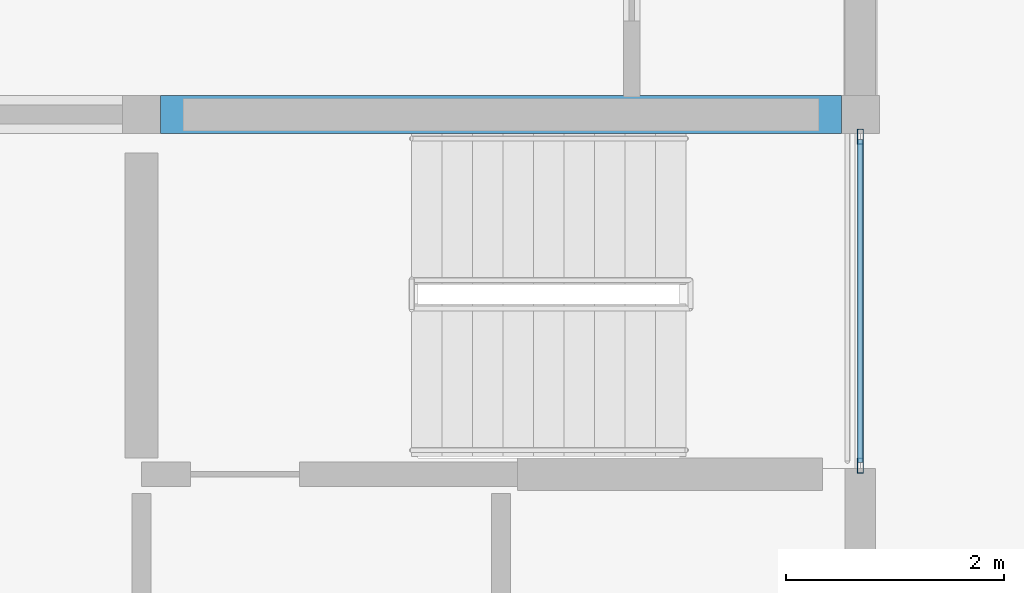
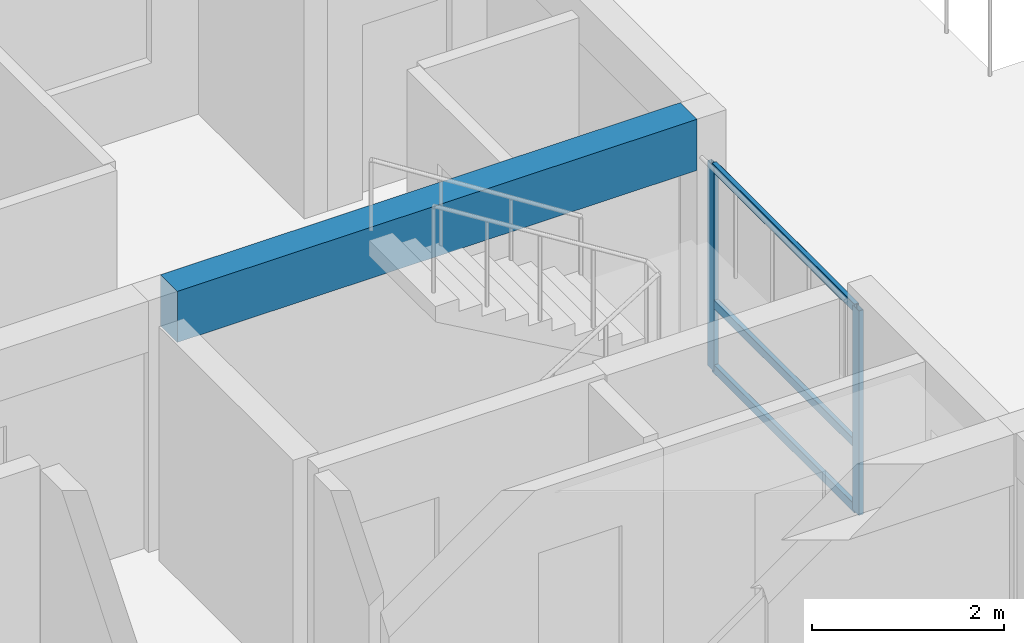
# One storey, part 8 of 46: 5 members, 1 beam, 1 element without a shape of its own.
"""IFC4 building model written with IfcOpenShell, lengths in metres."""

from ifc_helpers import new_model, si_unit, direction, frame, origin, origin_2d, place, context, subcontext, project, spatial, rectangle, hollow_rectangle, extrude, material, material_profile, profile_set, type_object, element, aggregate, save


model = new_model("IFC4")

# Units and contexts
model_context = context("Model", 3, precision=1e-05, world=origin(), true_north=direction((0.0, 1.0)))
body_context = subcontext(model_context, "Body", "Model", "MODEL_VIEW")
ifc_project = project(units=[si_unit("LENGTHUNIT", "METRE"), si_unit("AREAUNIT", "SQUARE_METRE"), si_unit("VOLUMEUNIT", "CUBIC_METRE"), si_unit("PLANEANGLEUNIT", "RADIAN"), si_unit("MASSUNIT", "GRAM", prefix="KILO")], contexts=[model_context])

# Site, building, storey
site_placement = place(None, origin())
site = spatial("IfcSite", under=ifc_project, at=site_placement, CompositionType="ELEMENT")
building_placement = place(site_placement, origin())
building = spatial("IfcBuilding", under=site, at=building_placement, Name="Kernevlak Ridge Housing Community", CompositionType="ELEMENT")
storey_placement = place(building_placement, frame((0.0, 0.0, 27.60009765625)))
storey = spatial("IfcBuildingStorey", under=building, at=storey_placement, Name="L08", CompositionType="ELEMENT", Elevation=27.60009765625)

# Beam
ifc_material_1 = material(Name="Concrete C35/45", Category="concrete")
ifc_material_profile_1 = material_profile(ifc_material_1, rectangle(XDim=0.35009765625, YDim=0.64990234375, at=origin_2d()), Name="RC 350x650")
ifc_profile_set_1 = profile_set([ifc_material_profile_1], Name="Concrete C35/45")
beam_type = type_object("IfcBeamType", Name="B-02", PredefinedType="BEAM", material=ifc_profile_set_1)
beam_placement = place(storey_placement, frame((28.97509765625, 28.800048828125, 2.875), z_axis=(1.0, 0.0, 0.0), x_axis=(0.0, 1.0, 0.0)))
element("IfcBeam", 1, at=beam_placement, inside=storey, type_object=beam_type, Name="Beam B-02 L08 1506", PredefinedType="BEAM", context=body_context, shape_type="SweptSolid", body=[
    extrude(rectangle(XDim=0.35009765625, YDim=0.64990234375, at=origin_2d()), origin(), (0.0, 0.0, 1.0), 6.25),
])

# Curtain wall, members
ifc_material_2 = material(Name="Aluminium EN AW-6060 anodised and laminated glass", Category="aluminium")
curtain_wall_type = type_object("IfcCurtainWallType", Name="CW-01", PredefinedType="NOTDEFINED", material=ifc_material_2)
curtain_wall_placement = place(storey_placement, origin())
curtain_wall = element("IfcCurtainWall", 2, at=curtain_wall_placement, inside=storey, type_object=curtain_wall_type, Name="Curtain wall CW-01 CW-L08-165", PredefinedType="NOTDEFINED")
ifc_material_3 = material(Name="Aluminium EN AW-6060 anodised", Category="aluminium")
ifc_material_profile_2 = material_profile(ifc_material_3, hollow_rectangle(XDim=0.054931640625, YDim=0.139892578125, WallThickness=0.00390625, InnerFilletRadius=0.001953125, OuterFilletRadius=0.00390625, at=origin_2d()), Name="ALU 55x140x4")
ifc_profile_set_2 = profile_set([ifc_material_profile_2], Name="Aluminium EN AW-6060 anodised")
member_type_1 = type_object("IfcMemberType", Name="MU-01", PredefinedType="MULLION", material=ifc_profile_set_2)
member_1_placement = place(storey_placement, frame((35.39990234375, 25.577392578125, 0.0), z_axis=(0.0, 0.0, 1.0), x_axis=(-1.0, 0.0, 0.0)))
member_1 = element("IfcMember", 3, at=member_1_placement, type_object=member_type_1, Name="CW-01 mullion 1", PredefinedType="MULLION", context=body_context, shape_type="SweptSolid", body=[
    extrude(hollow_rectangle(XDim=0.054931640625, YDim=0.139892578125, WallThickness=0.00390625, InnerFilletRadius=0.001953125, OuterFilletRadius=0.00390625, at=origin_2d()), origin(), (0.0, 0.0, 1.0), 2.599853515625),
])
member_2_placement = place(storey_placement, frame((35.39990234375, 28.597412109375, 0.0), z_axis=(0.0, 0.0, 1.0), x_axis=(-1.0, 0.0, 0.0)))
member_2 = element("IfcMember", 4, at=member_2_placement, type_object=member_type_1, Name="CW-01 mullion 2", PredefinedType="MULLION", context=body_context, shape_type="SweptSolid", body=[
    extrude(hollow_rectangle(XDim=0.054931640625, YDim=0.139892578125, WallThickness=0.00390625, InnerFilletRadius=0.001953125, OuterFilletRadius=0.00390625, at=origin_2d()), origin(), (0.0, 0.0, 1.0), 2.599853515625),
])
ifc_material_profile_3 = material_profile(ifc_material_3, hollow_rectangle(XDim=0.054931640625, YDim=0.110107421875, WallThickness=0.00390625, InnerFilletRadius=0.001953125, OuterFilletRadius=0.00390625, at=origin_2d()), Name="ALU 55x110x4")
ifc_profile_set_3 = profile_set([ifc_material_profile_3], Name="Aluminium EN AW-6060 anodised")
member_type_2 = type_object("IfcMemberType", Name="TM-01", PredefinedType="USERDEFINED", material=ifc_profile_set_3)
member_3_placement = place(storey_placement, frame((35.39990234375, 25.60498046875, 0.02734375), z_axis=(0.0, 1.0, 0.0), x_axis=(-1.0, 0.0, 0.0)))
member_3 = element("IfcMember", 5, at=member_3_placement, type_object=member_type_2, Name="CW-01 transom 1.1", ObjectType="TRANSOM", PredefinedType="USERDEFINED", context=body_context, shape_type="SweptSolid", body=[
    extrude(hollow_rectangle(XDim=0.054931640625, YDim=0.110107421875, WallThickness=0.00390625, InnerFilletRadius=0.001953125, OuterFilletRadius=0.00390625, at=origin_2d()), origin(), (0.0, 0.0, 1.0), 2.965087890625),
])
member_4_placement = place(storey_placement, frame((35.39990234375, 25.60498046875, 0.849853515625), z_axis=(0.0, 1.0, 0.0), x_axis=(-1.0, 0.0, 0.0)))
member_4 = element("IfcMember", 6, at=member_4_placement, type_object=member_type_2, Name="CW-01 transom 1.2", ObjectType="TRANSOM", PredefinedType="USERDEFINED", context=body_context, shape_type="SweptSolid", body=[
    extrude(hollow_rectangle(XDim=0.054931640625, YDim=0.110107421875, WallThickness=0.00390625, InnerFilletRadius=0.001953125, OuterFilletRadius=0.00390625, at=origin_2d()), origin(), (0.0, 0.0, 1.0), 2.965087890625),
])
member_5_placement = place(storey_placement, frame((35.39990234375, 25.60498046875, 2.572509765625), z_axis=(0.0, 1.0, 0.0), x_axis=(-1.0, 0.0, 0.0)))
member_5 = element("IfcMember", 7, at=member_5_placement, type_object=member_type_2, Name="CW-01 transom 1.3", ObjectType="TRANSOM", PredefinedType="USERDEFINED", context=body_context, shape_type="SweptSolid", body=[
    extrude(hollow_rectangle(XDim=0.054931640625, YDim=0.110107421875, WallThickness=0.00390625, InnerFilletRadius=0.001953125, OuterFilletRadius=0.00390625, at=origin_2d()), origin(), (0.0, 0.0, 1.0), 2.965087890625),
])
aggregate(curtain_wall, [member_1, member_2, member_3, member_4, member_5])

save(model, "model.ifc")
